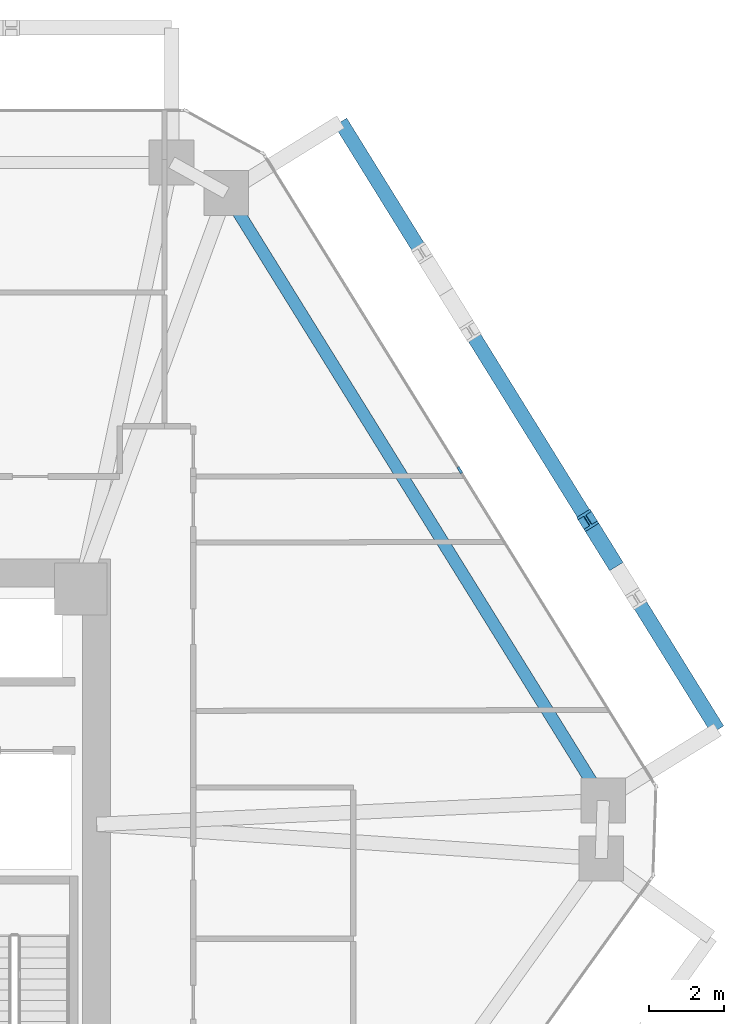
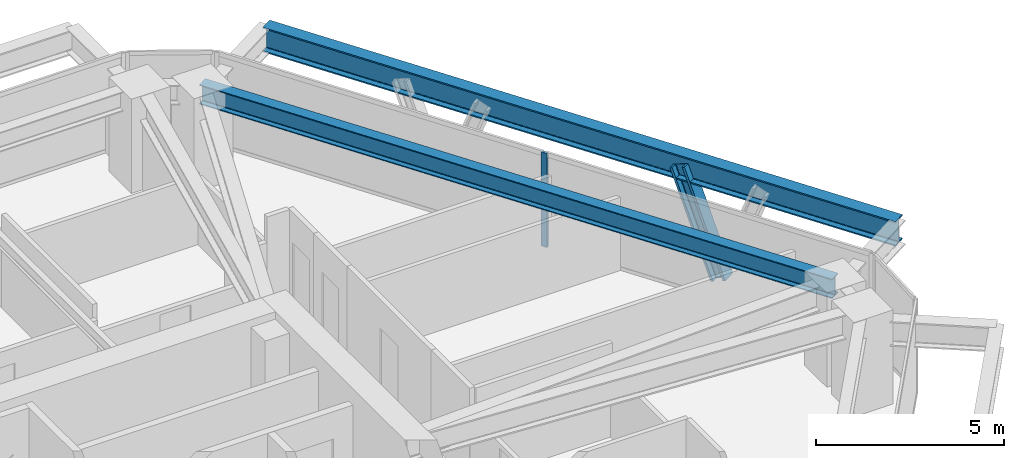
# One storey, part 6 of 14: 2 beams, 2 members, 1 element without a shape of its own.
"""IFC4 building model written with IfcOpenShell, lengths in metres."""

from ifc_helpers import new_model, si_unit, direction, frame, origin, origin_2d, place, context, subcontext, project, spatial, rectangle, i_section, extrude, source, transform, mapped, material, layer, layer_set, material_profile, profile_set, type_object, type_shapes, element, aggregate, save


model = new_model("IFC4")

# Units and contexts
model_context = context("Model", 3, precision=1e-05, world=origin(), true_north=direction((0.0, 1.0)))
body_context = subcontext(model_context, "Body", "Model", "MODEL_VIEW")
ifc_project = project(units=[si_unit("LENGTHUNIT", "METRE"), si_unit("AREAUNIT", "SQUARE_METRE"), si_unit("VOLUMEUNIT", "CUBIC_METRE"), si_unit("PLANEANGLEUNIT", "RADIAN"), si_unit("MASSUNIT", "GRAM", prefix="KILO")], contexts=[model_context])

# Site, building, storey
site_placement = place(None, origin())
site = spatial("IfcSite", under=ifc_project, at=site_placement, CompositionType="ELEMENT")
building_placement = place(site_placement, origin())
building = spatial("IfcBuilding", under=site, at=building_placement, Name="Durnholm Broadcast Tower", CompositionType="ELEMENT")
storey_placement = place(building_placement, frame((0.0, 0.0, 114.0)))
storey = spatial("IfcBuildingStorey", under=building, at=storey_placement, Name="L30", CompositionType="ELEMENT", Elevation=114.0)

# Beams
ifc_material_1 = material(Name="Steel ASTM A992 Grade 50", Category="steel")
ifc_material_profile_1 = material_profile(ifc_material_1, i_section(OverallWidth=0.3291015625, OverallDepth=0.635009765625, WebThickness=0.017822265625, FlangeThickness=0.031005859375, FilletRadius=0.02783203125, at=origin_2d()), Name="W24X162")
ifc_profile_set_1 = profile_set([ifc_material_profile_1], Name="Steel ASTM A992 Grade 50")
beam_type_1 = type_object("IfcBeamType", Name="STL-SP-W24X162", PredefinedType="SPANDREL", material=ifc_profile_set_1)
shared_shape_1 = source(origin(), body_context, "Body", "SweptSolid", [
    extrude(i_section(OverallWidth=0.3291015625, OverallDepth=0.635009765625, WebThickness=0.017822265625, FlangeThickness=0.031005859375, FilletRadius=0.02783203125, at=origin_2d()), origin(), (0.0, 0.0, 1.0), 19.139404296875),
])
type_shapes(beam_type_1, [shared_shape_1])
beam_1_placement = place(storey_placement, frame((13.692138671875, 18.4013671875, 2.7275390625), z_axis=(0.527111038734, -0.84979641847, 0.0), x_axis=(0.84979641847, 0.527111038734, 0.0)))
element("IfcBeam", 1, at=beam_1_placement, inside=storey, type_object=beam_type_1, Name="L30 perimeter spandrel girder 07", PredefinedType="SPANDREL", context=body_context, shape_type="MappedRepresentation", body=[
    mapped(shared_shape_1, transform((0.0, 0.0, 0.0), x_axis=(1.0, 0.0, 0.0), y_axis=(0.0, 1.0, 0.0), z_axis=(0.0, 0.0, 1.0), scale=1.0)),
])
ifc_material_profile_2 = material_profile(ifc_material_1, i_section(OverallWidth=0.385009765625, OverallDepth=0.802978515625, WebThickness=0.023681640625, FlangeThickness=0.0419921875, FilletRadius=0.032958984375, at=origin_2d()), Name="W30X261")
ifc_profile_set_2 = profile_set([ifc_material_profile_2], Name="Steel ASTM A992 Grade 50")
beam_type_2 = type_object("IfcBeamType", Name="BM-EXO-TIE", PredefinedType="USERDEFINED", material=ifc_profile_set_2)
shared_shape_2 = source(origin(), body_context, "Body", "SweptSolid", [
    extrude(i_section(OverallWidth=0.385009765625, OverallDepth=0.802978515625, WebThickness=0.023681640625, FlangeThickness=0.0419921875, FilletRadius=0.032958984375, at=origin_2d()), origin(), (0.0, 0.0, 1.0), 19.139404296875),
])
type_shapes(beam_type_2, [shared_shape_2])
beam_2_placement = place(storey_placement, frame((26.840087890625, 4.0341796875, 2.30859375), z_axis=(-0.527111038734, 0.84979641847, 0.0), x_axis=(-0.84979641847, -0.527111038734, 0.0)))
element("IfcBeam", 2, at=beam_2_placement, inside=storey, type_object=beam_type_2, Name="L30 exoskeleton collector spandrel F3", PredefinedType="SPANDREL", context=body_context, shape_type="MappedRepresentation", body=[
    mapped(shared_shape_2, transform((0.0, 0.0, 0.0), x_axis=(1.0, 0.0, 0.0), y_axis=(0.0, 1.0, 0.0), z_axis=(0.0, 0.0, 1.0), scale=1.0)),
])

# Member
ifc_material_2 = material(Name="Steel ASTM A913 Grade 65", Category="steel")
ifc_material_profile_3 = material_profile(ifc_material_2, i_section(OverallWidth=0.424072265625, OverallDepth=0.47412109375, WebThickness=0.047607421875, FlangeThickness=0.0771484375, FilletRadius=0.030517578125, at=origin_2d()), Name="W14X426")
ifc_profile_set_3 = profile_set([ifc_material_profile_3], Name="Steel ASTM A913 Grade 65")
member_type_1 = type_object("IfcMemberType", Name="STL-DG-W14X426", PredefinedType="BRACE", material=ifc_profile_set_3)
shared_shape_3 = source(origin(), body_context, "Body", "SweptSolid", [
    extrude(i_section(OverallWidth=0.424072265625, OverallDepth=0.47412109375, WebThickness=0.047607421875, FlangeThickness=0.0771484375, FilletRadius=0.030517578125, at=origin_2d()), origin(), (0.0, 0.0, 1.0), 3.523193359375),
])
type_shapes(member_type_1, [shared_shape_3])
member_1_placement = place(storey_placement, frame((24.01513671875, 8.58837890625, -0.991455078125), z_axis=(-0.184606642766, 0.297560406921, 0.936684681032), x_axis=(-0.849750220063, -0.527185511469, 0.0)))
element("IfcMember", 3, at=member_1_placement, inside=storey, type_object=member_type_1, Name="L30 stand-off diagrid brace F3.D1.2", PredefinedType="BRACE", context=body_context, shape_type="MappedRepresentation", body=[
    mapped(shared_shape_3, transform((0.0, 0.0, 0.0), x_axis=(1.0, 0.0, 0.0), y_axis=(0.0, 1.0, 0.0), z_axis=(0.0, 0.0, 1.0), scale=1.0)),
])

# Curtain wall, member
ifc_material_3 = material(Name="Aluminium and Solar Control IGU", Category="aluminium")
ifc_layer = layer(ifc_material_3, 0.18994140625)
ifc_layer_set = layer_set([ifc_layer], Name="Aluminium and Solar Control IGU")
curtain_wall_type = type_object("IfcCurtainWallType", Name="CW-SYS-3", PredefinedType="NOTDEFINED", material=ifc_layer_set)
curtain_wall_placement = place(storey_placement, origin())
curtain_wall = element("IfcCurtainWall", 4, at=curtain_wall_placement, inside=storey, type_object=curtain_wall_type, Name="L30 curtain wall CW-Z12-VIS CW-L30-F06", PredefinedType="NOTDEFINED")
ifc_material_4 = material(Name="Aluminium 6063-T6", Category="aluminium")
ifc_material_profile_4 = material_profile(ifc_material_4, rectangle(XDim=0.070068359375, YDim=0.18994140625, at=origin_2d()), Name="CWM70X190")
ifc_profile_set_4 = profile_set([ifc_material_profile_4], Name="Aluminium 6063-T6")
member_type_2 = type_object("IfcMemberType", Name="CW-SYS-3-MUL", PredefinedType="MULLION", material=ifc_profile_set_4)
shared_shape_4 = source(origin(), body_context, "Body", "SweptSolid", [
    extrude(rectangle(XDim=0.070068359375, YDim=0.18994140625, at=origin_2d()), origin(), (0.0, 0.0, 1.0), 3.06005859375),
])
type_shapes(member_type_2, [shared_shape_4])
member_2_placement = place(storey_placement, frame((19.9423828125, 10.980712890625, 0.0), z_axis=(0.0, 0.0, 1.0), x_axis=(0.849799925229, 0.527105385176, 0.0)))
member_2 = element("IfcMember", 5, at=member_2_placement, type_object=member_type_2, Name="CW-Z12-VIS mullion 2", PredefinedType="MULLION", context=body_context, shape_type="MappedRepresentation", body=[
    mapped(shared_shape_4, transform((0.0, 0.0, 0.0), x_axis=(1.0, 0.0, 0.0), y_axis=(0.0, 1.0, 0.0), z_axis=(0.0, 0.0, 1.0), scale=1.0)),
])
aggregate(curtain_wall, [member_2])

save(model, "model.ifc")
